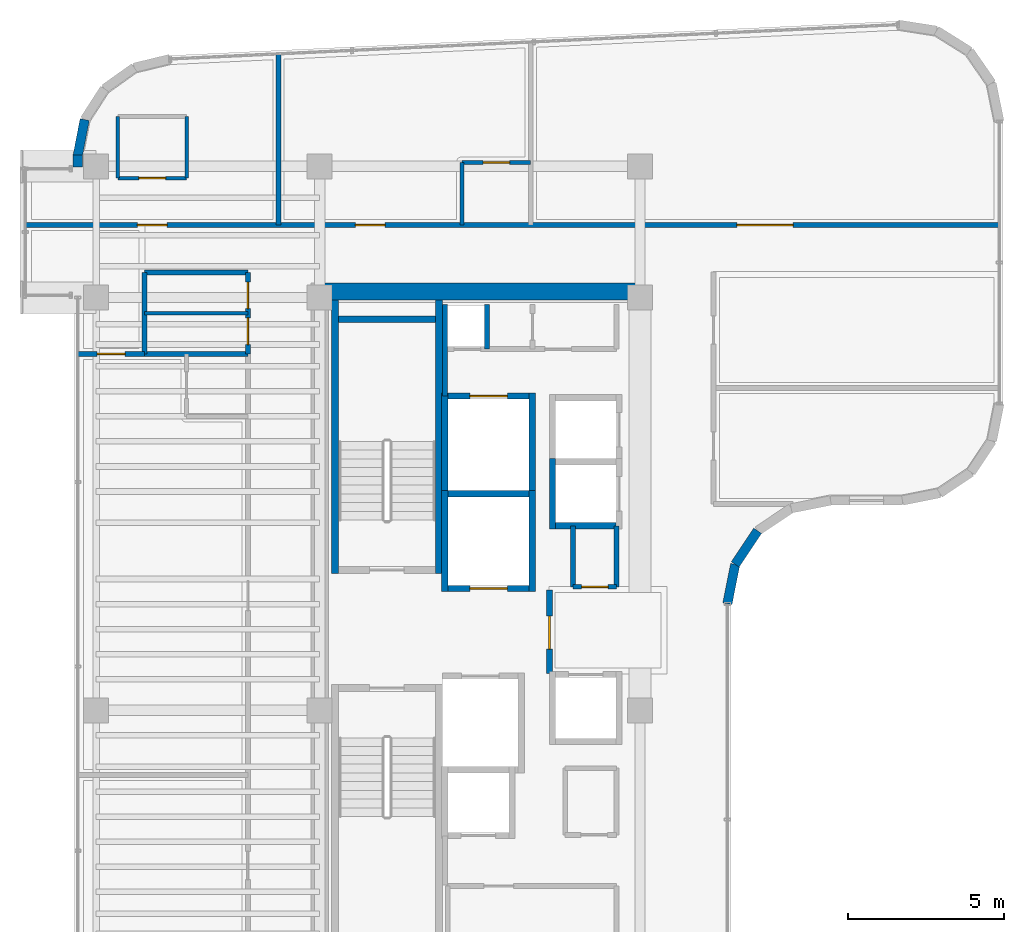
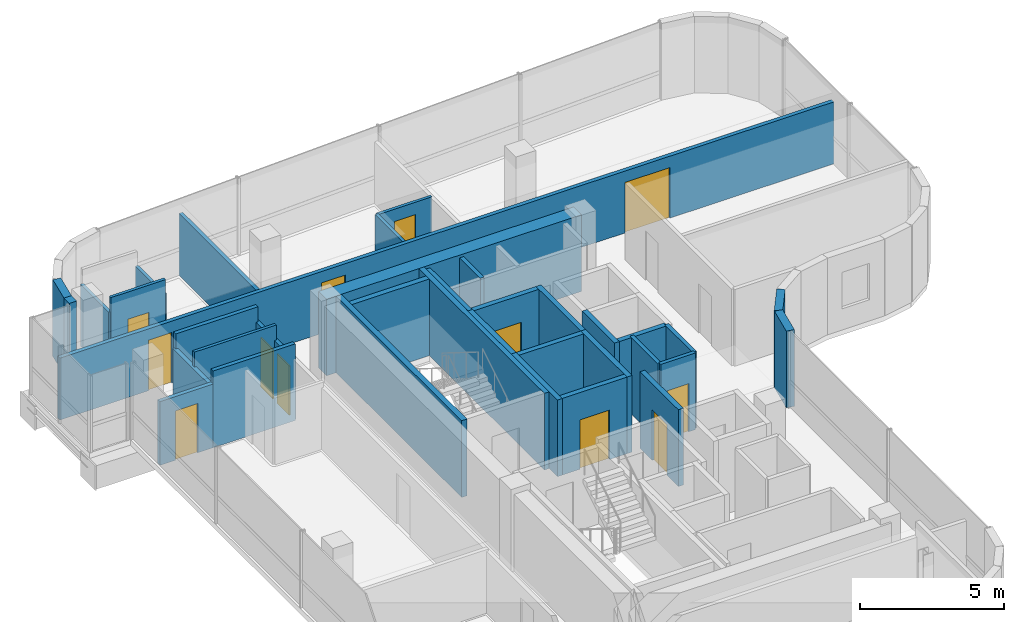
# One storey, part 17 of 20: 36 walls, 12 doors, 12 openings.
"""IFC4 building model written with IfcOpenShell, lengths in metres."""

from ifc_helpers import new_model, si_unit, direction, frame, frame_2d, origin, place, context, subcontext, project, spatial, rectangle, extrude, material, layer, layer_set, type_object, element, fill, save


model = new_model("IFC4")

# Units and contexts
model_context = context("Model", 3, precision=1e-05, world=origin(), true_north=direction((0.0, 1.0)))
body_context = subcontext(model_context, "Body", "Model", "MODEL_VIEW")
ifc_project = project(units=[si_unit("LENGTHUNIT", "METRE"), si_unit("AREAUNIT", "SQUARE_METRE"), si_unit("VOLUMEUNIT", "CUBIC_METRE"), si_unit("PLANEANGLEUNIT", "RADIAN"), si_unit("MASSUNIT", "GRAM", prefix="KILO")], contexts=[model_context])

# Site, building, storey
site_placement = place(None, origin())
site = spatial("IfcSite", under=ifc_project, at=site_placement, CompositionType="ELEMENT")
building_placement = place(site_placement, origin())
building = spatial("IfcBuilding", under=site, at=building_placement, Name="Valdorenza Pilgrim Sanctuary Tower", CompositionType="ELEMENT")
storey_placement = place(building_placement, frame((0.0, 0.0, 283.5)))
storey = spatial("IfcBuildingStorey", under=building, at=storey_placement, Name="L74", CompositionType="ELEMENT", Elevation=283.5)

# Walls
ifc_material_1 = material(Name="Acoustic twin-stud gypsum partition", Category="gypsum")
ifc_layer_1 = layer(ifc_material_1, 0.159912109375, Name="Acoustic twin-stud gypsum partition")
ifc_layer_set_1 = layer_set([ifc_layer_1], Name="Acoustic twin-stud gypsum partition")
wall_type_1 = type_object("IfcWallType", Name="WAL-COR-160", PredefinedType="PARTITIONING", material=ifc_layer_set_1)
wall_1_placement = place(storey_placement, frame((-18.64990234375, 7.449951171875, 0.0), z_axis=(0.0, 0.0, 1.0), x_axis=(0.0, 1.0, 0.0)))
element("IfcWall", 1, at=wall_1_placement, inside=storey, type_object=wall_type_1, Name="L74 Core A North Service West Wall", PredefinedType="PARTITIONING", context=body_context, shape_type="SweptSolid", body=[
    extrude(rectangle(XDim=2.929931640625, YDim=0.159912109375, at=frame_2d((1.46484375, 0.0))), origin(), (0.0, 0.0, 1.0), 3.260009765625),
])
wall_2_placement = place(storey_placement, frame((-17.300048828125, 8.949951171875, 0.0), z_axis=(0.0, 0.0, 1.0), x_axis=(0.0, 1.0, 0.0)))
element("IfcWall", 2, at=wall_2_placement, inside=storey, type_object=wall_type_1, Name="L74 Core Electrical Riser Wall", PredefinedType="PARTITIONING", context=body_context, shape_type="SweptSolid", body=[
    extrude(rectangle(XDim=1.429931640625, YDim=0.159912109375, at=frame_2d((0.71484375, 0.0))), origin(), (0.0, 0.0, 1.0), 3.260009765625),
])
wall_3_placement = place(storey_placement, frame((-13.14990234375, 1.35009765625, 0.0), z_axis=(0.0, 0.0, 1.0), x_axis=(0.0, 1.0, 0.0)))
element("IfcWall", 3, at=wall_3_placement, inside=storey, type_object=wall_type_1, Name="L74 Freed Shaft 6 East Wall", PredefinedType="PARTITIONING", context=body_context, shape_type="SweptSolid", body=[
    extrude(rectangle(XDim=1.949951171875, YDim=0.159912109375, at=frame_2d((0.97509765625, 0.0))), origin(), (0.0, 0.0, 1.0), 3.260009765625),
])
wall_4_placement = place(storey_placement, frame((-28.25, 8.800048828125, 0.0), z_axis=(0.0, 0.0, 1.0), x_axis=(0.0, 1.0, 0.0)))
element("IfcWall", 4, at=wall_4_placement, inside=storey, type_object=wall_type_1, Name="L74 Washroom West Wall", PredefinedType="PARTITIONING", context=body_context, shape_type="SweptSolid", body=[
    extrude(rectangle(XDim=2.599853515625, YDim=0.159912109375, at=frame_2d((1.2998046875, 0.0))), origin(), (0.0, 0.0, 1.0), 2.623046875),
])

# Wall, openings, doors
wall_5_placement = place(storey_placement, frame((-24.949951171875, 8.800048828125, 0.0), z_axis=(0.0, 0.0, 1.0), x_axis=(0.0, 1.0, 0.0)))
wall_5 = element("IfcWall", 5, at=wall_5_placement, inside=storey, type_object=wall_type_1, Name="L74 Washroom East Wall", PredefinedType="PARTITIONING", context=body_context, shape_type="SweptSolid", body=[
    extrude(rectangle(XDim=2.599853515625, YDim=0.159912109375, at=frame_2d((1.2998046875, 0.0))), origin(), (0.0, 0.0, 1.0), 2.623046875),
])
opening_1_placement = place(wall_5_placement, frame((0.300048828125, 0.0, 0.0)))
opening_1 = element("IfcOpeningElement", 6, at=opening_1_placement, cuts=wall_5, Name="Opening DR-WC1", PredefinedType="OPENING", context=body_context, shape_type="SweptSolid", body=[
    extrude(rectangle(XDim=0.85009765625, YDim=2.10009765625, at=frame_2d((0.425048828125, 1.050048828125))), frame((0.0, 0.0947265625, 0.0), z_axis=(0.0, -1.0, 0.0), x_axis=(1.0, 0.0, 0.0)), (0.0, 0.0, 1.0), 0.189697265625),
])
opening_2_placement = place(wall_5_placement, frame((1.449951171875, 0.0, 0.0)))
opening_2 = element("IfcOpeningElement", 7, at=opening_2_placement, cuts=wall_5, Name="Opening DR-WC1", PredefinedType="OPENING", context=body_context, shape_type="SweptSolid", body=[
    extrude(rectangle(XDim=0.85009765625, YDim=2.10009765625, at=frame_2d((0.425048828125, 1.050048828125))), frame((0.0, 0.0947265625, 0.0), z_axis=(0.0, -1.0, 0.0), x_axis=(1.0, 0.0, 0.0)), (0.0, 0.0, 1.0), 0.189697265625),
])
ifc_material_2 = material(Name="Moisture-resistant lacquered timber", Category="wood")
door_type_1 = type_object("IfcDoorType", Name="DR-BATH-850", OperationType="NOTDEFINED", PredefinedType="DOOR", material=ifc_material_2)
door_1_placement = place(opening_1_placement, origin())
door_1 = element("IfcDoor", 8, at=door_1_placement, inside=storey, type_object=door_type_1, Name="L74 Accessible Washroom Door", OperationType="SINGLE_SWING_LEFT", OverallHeight=2.10009765625, OverallWidth=0.85009765625, PredefinedType="DOOR", context=body_context, shape_type="SweptSolid", body=[
    extrude(rectangle(XDim=0.85009765625, YDim=2.10009765625, at=frame_2d((0.425048828125, 1.050048828125))), frame((0.0, 0.02490234375, 0.0), z_axis=(0.0, -1.0, 0.0), x_axis=(1.0, 0.0, 0.0)), (0.0, 0.0, 1.0), 0.050048828125),
])
fill(opening_1, door_1)
door_2_placement = place(opening_2_placement, origin())
door_2 = element("IfcDoor", 9, at=door_2_placement, inside=storey, type_object=door_type_1, Name="L74 Public Washroom Door", OperationType="SINGLE_SWING_RIGHT", OverallHeight=2.10009765625, OverallWidth=0.85009765625, PredefinedType="DOOR", context=body_context, shape_type="SweptSolid", body=[
    extrude(rectangle(XDim=0.85009765625, YDim=2.10009765625, at=frame_2d((0.425048828125, 1.050048828125))), frame((0.0, 0.02490234375, 0.0), z_axis=(0.0, -1.0, 0.0), x_axis=(1.0, 0.0, 0.0)), (0.0, 0.0, 1.0), 0.050048828125),
])
fill(opening_2, door_2)

# Walls
for number, where, z_axis, x_axis, name in (
    (10, (-28.25, 8.800048828125, 0.0), (0.0, 0.0, 1.0), (1.0, 0.0, 0.0), "L74 Washroom South Wall"),
    (11, (-28.25, 11.39990234375, 0.0), (0.0, 0.0, 1.0), (1.0, 0.0, 0.0), "L74 Washroom North Wall"),
):
    element("IfcWall", number, at=place(storey_placement, frame(where, z_axis=z_axis, x_axis=x_axis)), inside=storey, type_object=wall_type_1, Name=name, PredefinedType="PARTITIONING", context=body_context, shape_type="SweptSolid", body=[
        extrude(rectangle(XDim=3.300048828125, YDim=0.159912109375, at=frame_2d((1.64990234375, 0.0))), origin(), (0.0, 0.0, 1.0), 3.260009765625),
    ])

# Wall, opening, door
wall_6_placement = place(storey_placement, frame((-30.389892578125, 8.800048828125, 0.0), z_axis=(0.0, 0.0, 1.0), x_axis=(1.0, 0.0, 0.0)))
wall_6 = element("IfcWall", 12, at=wall_6_placement, inside=storey, type_object=wall_type_1, Name="L74 West North Alcove Wall", PredefinedType="PARTITIONING", context=body_context, shape_type="SweptSolid", body=[
    extrude(rectangle(XDim=2.139892578125, YDim=0.159912109375, at=frame_2d((1.06982421875, 0.0))), origin(), (0.0, 0.0, 1.0), 2.7060546875),
])
opening_3_placement = place(wall_6_placement, frame((0.6201171875, 0.0, 0.0)))
opening_3 = element("IfcOpeningElement", 13, at=opening_3_placement, cuts=wall_6, Name="Opening DR-RM1", PredefinedType="OPENING", context=body_context, shape_type="SweptSolid", body=[
    extrude(rectangle(XDim=0.89990234375, YDim=2.10009765625, at=frame_2d((0.449951171875, 1.050048828125))), frame((0.0, 0.0947265625, 0.0), z_axis=(0.0, -1.0, 0.0), x_axis=(1.0, 0.0, 0.0)), (0.0, 0.0, 1.0), 0.189697265625),
])
ifc_material_3 = material(Name="Solid-core European oak timber", Category="wood")
door_type_2 = type_object("IfcDoorType", Name="DR-ROOM-900", OperationType="NOTDEFINED", PredefinedType="DOOR", material=ifc_material_3)
door_3_placement = place(opening_3_placement, frame((0.89990234375, 0.0, 0.0), z_axis=(0.0, 0.0, 1.0), x_axis=(-1.0, 0.0, 0.0)))
door_3 = element("IfcDoor", 14, at=door_3_placement, inside=storey, type_object=door_type_2, Name="L74 Pilgrim Scholar Office L74-WN Door", OperationType="SINGLE_SWING_LEFT", OverallHeight=2.10009765625, OverallWidth=0.89990234375, PredefinedType="DOOR", context=body_context, shape_type="SweptSolid", body=[
    extrude(rectangle(XDim=0.89990234375, YDim=2.10009765625, at=frame_2d((0.449951171875, 1.050048828125))), frame((0.0, 0.02490234375, 0.0), z_axis=(0.0, -1.0, 0.0), x_axis=(1.0, 0.0, 0.0)), (0.0, 0.0, 1.0), 0.050048828125),
])
fill(opening_3, door_3)

# Wall, openings, doors
wall_7_placement = place(storey_placement, frame((-32.0400390625, 12.919921875, 0.0), z_axis=(0.0, 0.0, 1.0), x_axis=(1.0, 0.0, 0.0)))
wall_7 = element("IfcWall", 15, at=wall_7_placement, inside=storey, type_object=wall_type_1, Name="L74 North Corridor Wall", PredefinedType="PARTITIONING", context=body_context, shape_type="SweptSolid", body=[
    extrude(rectangle(XDim=31.130126953125, YDim=0.159912109375, at=frame_2d((15.56494140625, 0.0))), origin(), (0.0, 0.0, 1.0), 2.634033203125),
])
opening_4_placement = place(wall_7_placement, frame((3.56005859375, 0.0, 0.0)))
opening_4 = element("IfcOpeningElement", 16, at=opening_4_placement, cuts=wall_7, Name="Opening DR-UN1", PredefinedType="OPENING", context=body_context, shape_type="SweptSolid", body=[
    extrude(rectangle(XDim=0.949951171875, YDim=2.14990234375, at=frame_2d((0.47509765625, 1.074951171875))), frame((0.0, 0.0947265625, 0.0), z_axis=(0.0, -1.0, 0.0), x_axis=(1.0, 0.0, 0.0)), (0.0, 0.0, 1.0), 0.189697265625),
])
opening_5_placement = place(wall_7_placement, frame((10.530029296875, 0.0, 0.0)))
opening_5 = element("IfcOpeningElement", 17, at=opening_5_placement, cuts=wall_7, Name="Opening DR-UN1", PredefinedType="OPENING", context=body_context, shape_type="SweptSolid", body=[
    extrude(rectangle(XDim=0.949951171875, YDim=2.14990234375, at=frame_2d((0.47509765625, 1.074951171875))), frame((0.0, 0.0947265625, 0.0), z_axis=(0.0, -1.0, 0.0), x_axis=(1.0, 0.0, 0.0)), (0.0, 0.0, 1.0), 0.189697265625),
])
opening_6_placement = place(wall_7_placement, frame((22.735107421875, 0.0, 0.0)))
opening_6 = element("IfcOpeningElement", 18, at=opening_6_placement, cuts=wall_7, Name="Opening DR-HL1", PredefinedType="OPENING", context=body_context, shape_type="SweptSolid", body=[
    extrude(rectangle(XDim=1.800048828125, YDim=2.14990234375, at=frame_2d((0.89990234375, 1.074951171875))), frame((0.0, 0.0947265625, 0.0), z_axis=(0.0, -1.0, 0.0), x_axis=(1.0, 0.0, 0.0)), (0.0, 0.0, 1.0), 0.189697265625),
])
ifc_material_4 = material(Name="Acoustic oak and vision-glass double door", Category="glass")
door_type_3 = type_object("IfcDoorType", Name="DR-HALL-1800", OperationType="NOTDEFINED", PredefinedType="DOOR", material=ifc_material_4)
door_4_placement = place(opening_6_placement, frame((1.800048828125, 0.0, 0.0), z_axis=(0.0, 0.0, 1.0), x_axis=(-1.0, 0.0, 0.0)))
door_4 = element("IfcDoor", 19, at=door_4_placement, inside=storey, type_object=door_type_3, Name="L74 Sacred Archive Reading Library L74-N2 Door", OperationType="DOUBLE_DOOR_SINGLE_SWING", OverallHeight=2.14990234375, OverallWidth=1.800048828125, PredefinedType="DOOR", context=body_context, shape_type="SweptSolid", body=[
    extrude(rectangle(XDim=1.800048828125, YDim=2.14990234375, at=frame_2d((0.89990234375, 1.074951171875))), frame((0.0, 0.02490234375, 0.0), z_axis=(0.0, -1.0, 0.0), x_axis=(1.0, 0.0, 0.0)), (0.0, 0.0, 1.0), 0.050048828125),
])
fill(opening_6, door_4)
door_type_4 = type_object("IfcDoorType", Name="DR-UNIT-950", OperationType="NOTDEFINED", PredefinedType="DOOR", material=ifc_material_3)
door_5_placement = place(opening_4_placement, frame((0.949951171875, 0.0, 0.0), z_axis=(0.0, 0.0, 1.0), x_axis=(-1.0, 0.0, 0.0)))
door_5 = element("IfcDoor", 20, at=door_5_placement, inside=storey, type_object=door_type_4, Name="L74 North Grand Guest Room L74-N1A Entrance Door", OperationType="SINGLE_SWING_LEFT", OverallHeight=2.14990234375, OverallWidth=0.949951171875, PredefinedType="DOOR", context=body_context, shape_type="SweptSolid", body=[
    extrude(rectangle(XDim=0.949951171875, YDim=2.14990234375, at=frame_2d((0.47509765625, 1.074951171875))), frame((0.0, 0.02490234375, 0.0), z_axis=(0.0, -1.0, 0.0), x_axis=(1.0, 0.0, 0.0)), (0.0, 0.0, 1.0), 0.050048828125),
])
fill(opening_4, door_5)
door_6_placement = place(opening_5_placement, frame((0.949951171875, 0.0, 0.0), z_axis=(0.0, 0.0, 1.0), x_axis=(-1.0, 0.0, 0.0)))
door_6 = element("IfcDoor", 21, at=door_6_placement, inside=storey, type_object=door_type_4, Name="L74 North Grand Guest Room L74-N1B Entrance Door", OperationType="SINGLE_SWING_LEFT", OverallHeight=2.14990234375, OverallWidth=0.949951171875, PredefinedType="DOOR", context=body_context, shape_type="SweptSolid", body=[
    extrude(rectangle(XDim=0.949951171875, YDim=2.14990234375, at=frame_2d((0.47509765625, 1.074951171875))), frame((0.0, 0.02490234375, 0.0), z_axis=(0.0, -1.0, 0.0), x_axis=(1.0, 0.0, 0.0)), (0.0, 0.0, 1.0), 0.050048828125),
])
fill(opening_5, door_6)

# Walls
ifc_material_5 = material(Name="Concrete C50/60", Category="concrete")
ifc_layer_2 = layer(ifc_material_5, 0.550048828125, Name="Concrete C50/60")
ifc_layer_set_2 = layer_set([ifc_layer_2], Name="Concrete C50/60")
wall_type_2 = type_object("IfcWallType", Name="WAL-COR-550", PredefinedType="SHEAR", material=ifc_layer_set_2)
wall_8_placement = place(storey_placement, frame((-22.64990234375, 10.800048828125, 0.0), z_axis=(0.0, 0.0, 1.0), x_axis=(1.0, 0.0, 0.0)))
element("IfcWall", 22, at=wall_8_placement, inside=storey, type_object=wall_type_2, Name="L74 Split Core A Shear Wall N", PredefinedType="SHEAR", context=body_context, shape_type="SweptSolid", body=[
    extrude(rectangle(XDim=10.25, YDim=0.550048828125, at=frame_2d((5.125, 0.0))), origin(), (0.0, 0.0, 1.0), 3.260009765625),
])
ifc_material_6 = material(Name="Honed travertine limestone", Category="masonry")
ifc_layer_3 = layer(ifc_material_6, 0.300048828125, Name="Honed travertine limestone")
ifc_layer_set_3 = layer_set([ifc_layer_3], Name="Honed travertine limestone")
wall_type_3 = type_object("IfcWallType", Name="WAL-EXT-300", PredefinedType="SOLIDWALL", material=ifc_layer_set_3)
wall_9_placement = place(storey_placement, frame((-30.389892578125, 14.780029296875, 0.0), z_axis=(0.0, 0.0, 1.0), x_axis=(0.0, 1.0, 0.0)))
element("IfcWall", 23, at=wall_9_placement, inside=storey, type_object=wall_type_3, Name="L74 Facade Box Closure Stone Jamb 2", PredefinedType="SOLIDWALL", context=body_context, shape_type="SweptSolid", body=[
    extrude(rectangle(XDim=0.376708984375, YDim=0.300048828125, at=frame_2d((0.1884765625, 0.0))), origin(), (0.0, 0.0, 1.0), 3.260009765625),
])
wall_10_placement = place(storey_placement, frame((-30.389892578125, 15.13671875, 0.0), z_axis=(0.0, 0.0, 1.0), x_axis=(0.189307792679, 0.981917796779, 0.0)))
element("IfcWall", 24, at=wall_10_placement, inside=storey, type_object=wall_type_3, Name="L74 Rounded Wind-Corner Stone Pier 2", PredefinedType="SOLIDWALL", context=body_context, shape_type="SweptSolid", body=[
    extrude(rectangle(XDim=1.179931640625, YDim=0.300048828125, at=frame_2d((0.58984375, 0.0))), origin(), (0.0, 0.0, 1.0), 3.260009765625),
])
wall_11_placement = place(storey_placement, frame((-8.64208984375, 3.14208984375, 0.0), z_axis=(0.0, 0.0, 1.0), x_axis=(-0.555528135371, -0.831497739511, 0.0)))
element("IfcWall", 25, at=wall_11_placement, inside=storey, type_object=wall_type_3, Name="L74 Rounded Wind-Corner Stone Pier 19", PredefinedType="SOLIDWALL", context=body_context, shape_type="SweptSolid", body=[
    extrude(rectangle(XDim=1.29248046875, YDim=0.300048828125, at=frame_2d((0.646240234375, 0.0))), origin(), (0.0, 0.0, 1.0), 3.260009765625),
])
wall_12_placement = place(storey_placement, frame((-9.360107421875, 2.0673828125, 0.0), z_axis=(0.0, 0.0, 1.0), x_axis=(-0.195126623715, -0.980778058848, 0.0)))
element("IfcWall", 26, at=wall_12_placement, inside=storey, type_object=wall_type_3, Name="L74 Rounded Wind-Corner Stone Pier 20", PredefinedType="SOLIDWALL", context=body_context, shape_type="SweptSolid", body=[
    extrude(rectangle(XDim=1.28125, YDim=0.300048828125, at=frame_2d((0.640625, 0.0))), origin(), (0.0, 0.0, 1.0), 3.260009765625),
])

# Wall, opening, door
ifc_material_7 = material(Name="Gypsum shaftwall partition", Category="gypsum")
ifc_layer_4 = layer(ifc_material_7, 0.199951171875, Name="Gypsum shaftwall partition")
ifc_layer_set_4 = layer_set([ifc_layer_4], Name="Gypsum shaftwall partition")
wall_type_4 = type_object("IfcWallType", Name="WAL-FFL-200", PredefinedType="PARTITIONING", material=ifc_layer_set_4)
wall_13_placement = place(storey_placement, frame((-15.300048828125, -1.419921875, 0.0), z_axis=(0.0, 0.0, 1.0), x_axis=(0.0, 1.0, 0.0)))
wall_13 = element("IfcWall", 27, at=wall_13_placement, inside=storey, type_object=wall_type_4, Name="L74 Core A Firefighting Lobby East Wall", PredefinedType="PARTITIONING", context=body_context, shape_type="SweptSolid", body=[
    extrude(rectangle(XDim=2.669921875, YDim=0.199951171875, at=frame_2d((1.3349609375, 0.0))), origin(), (0.0, 0.0, 1.0), 3.260009765625),
])
opening_7_placement = place(wall_13_placement, frame((0.780029296875, 0.0, 0.0)))
opening_7 = element("IfcOpeningElement", 28, at=opening_7_placement, cuts=wall_13, Name="Opening DR-FL1", PredefinedType="OPENING", context=body_context, shape_type="SweptSolid", body=[
    extrude(rectangle(XDim=1.050048828125, YDim=2.14990234375, at=frame_2d((0.52490234375, 1.074951171875))), frame((0.0, 0.11474609375, 0.0), z_axis=(0.0, -1.0, 0.0), x_axis=(1.0, 0.0, 0.0)), (0.0, 0.0, 1.0), 0.229736328125),
])
ifc_material_8 = material(Name="Painted galvanized steel", Category="steel")
door_type_5 = type_object("IfcDoorType", Name="DR-FFL-1050", OperationType="NOTDEFINED", PredefinedType="DOOR", material=ifc_material_8)
door_7_placement = place(opening_7_placement, origin())
door_7 = element("IfcDoor", 29, at=door_7_placement, inside=storey, type_object=door_type_5, Name="L74 Core A Firefighting Lobby Door", OperationType="SINGLE_SWING_RIGHT", OverallHeight=2.14990234375, OverallWidth=1.050048828125, PredefinedType="DOOR", context=body_context, shape_type="SweptSolid", body=[
    extrude(rectangle(XDim=1.050048828125, YDim=2.14990234375, at=frame_2d((0.52490234375, 1.074951171875))), frame((0.0, 0.02490234375, 0.0), z_axis=(0.0, -1.0, 0.0), x_axis=(1.0, 0.0, 0.0)), (0.0, 0.0, 1.0), 0.050048828125),
])
fill(opening_7, door_7)

# Walls
ifc_material_9 = material(Name="Moisture-resistant gypsum partition", Category="gypsum")
ifc_layer_5 = layer(ifc_material_9, 0.1201171875, Name="Moisture-resistant gypsum partition")
ifc_layer_set_5 = layer_set([ifc_layer_5], Name="Moisture-resistant gypsum partition")
wall_type_5 = type_object("IfcWallType", Name="WAL-INT-120", PredefinedType="PARTITIONING", material=ifc_layer_set_5)
wall_14_placement = place(storey_placement, frame((-28.25, 10.10009765625, 0.0), z_axis=(0.0, 0.0, 1.0), x_axis=(1.0, 0.0, 0.0)))
element("IfcWall", 30, at=wall_14_placement, inside=storey, type_object=wall_type_5, Name="L74 Washroom Divider Wall", PredefinedType="PARTITIONING", context=body_context, shape_type="SweptSolid", body=[
    extrude(rectangle(XDim=3.300048828125, YDim=0.1201171875, at=frame_2d((1.64990234375, 0.0))), origin(), (0.0, 0.0, 1.0), 3.260009765625),
])
for number, where, z_axis, x_axis, name in (
    (31, (-29.10498046875, 14.419921875, 0.0), (0.0, 0.0, 1.0), (0.0, 1.0, 0.0), "L74 North Grand Guest Room L74-N1A En-suite West Wall"),
    (32, (-26.905029296875, 14.419921875, 0.0), (0.0, 0.0, 1.0), (0.0, 1.0, 0.0), "L74 North Grand Guest Room L74-N1A En-suite East Wall"),
):
    element("IfcWall", number, at=place(storey_placement, frame(where, z_axis=z_axis, x_axis=x_axis)), inside=storey, type_object=wall_type_5, Name=name, PredefinedType="PARTITIONING", context=body_context, shape_type="SweptSolid", body=[
        extrude(rectangle(XDim=1.97216796875, YDim=0.1201171875, at=frame_2d((0.986083984375, 0.0))), origin(), (0.0, 0.0, 1.0), 2.623046875),
    ])

# Wall, opening, door
wall_15_placement = place(storey_placement, frame((-29.10498046875, 14.419921875, 0.0), z_axis=(0.0, 0.0, 1.0), x_axis=(1.0, 0.0, 0.0)))
wall_15 = element("IfcWall", 33, at=wall_15_placement, inside=storey, type_object=wall_type_5, Name="L74 North Grand Guest Room L74-N1A En-suite Door Wall", PredefinedType="PARTITIONING", context=body_context, shape_type="SweptSolid", body=[
    extrude(rectangle(XDim=2.199951171875, YDim=0.1201171875, at=frame_2d((1.10009765625, 0.0))), origin(), (0.0, 0.0, 1.0), 3.260009765625),
])
opening_8_placement = place(wall_15_placement, frame((0.675048828125, 0.0, 0.0)))
opening_8 = element("IfcOpeningElement", 34, at=opening_8_placement, cuts=wall_15, Name="Opening DR-WC1", PredefinedType="OPENING", context=body_context, shape_type="SweptSolid", body=[
    extrude(rectangle(XDim=0.85009765625, YDim=2.10009765625, at=frame_2d((0.425048828125, 1.050048828125))), frame((0.0, 0.074951171875, 0.0), z_axis=(0.0, -1.0, 0.0), x_axis=(1.0, 0.0, 0.0)), (0.0, 0.0, 1.0), 0.14990234375),
])
door_8_placement = place(opening_8_placement, origin())
door_8 = element("IfcDoor", 35, at=door_8_placement, inside=storey, type_object=door_type_1, Name="L74 North Grand Guest Room L74-N1A En-suite Bathroom Door", OperationType="SINGLE_SWING_RIGHT", OverallHeight=2.10009765625, OverallWidth=0.85009765625, PredefinedType="DOOR", context=body_context, shape_type="SweptSolid", body=[
    extrude(rectangle(XDim=0.85009765625, YDim=2.10009765625, at=frame_2d((0.425048828125, 1.050048828125))), frame((0.0, 0.02490234375, 0.0), z_axis=(0.0, -1.0, 0.0), x_axis=(1.0, 0.0, 0.0)), (0.0, 0.0, 1.0), 0.050048828125),
])
fill(opening_8, door_8)

# Wall
wall_16_placement = place(storey_placement, frame((-18.10009765625, 12.919921875, 0.0), z_axis=(0.0, 0.0, 1.0), x_axis=(0.0, 1.0, 0.0)))
element("IfcWall", 36, at=wall_16_placement, inside=storey, type_object=wall_type_5, Name="L74 North Grand Guest Room L74-N1B En-suite West Wall", PredefinedType="PARTITIONING", context=body_context, shape_type="SweptSolid", body=[
    extrude(rectangle(XDim=2.0, YDim=0.1201171875, at=frame_2d((1.0, 0.0))), origin(), (0.0, 0.0, 1.0), 2.623046875),
])

# Wall, opening, door
wall_17_placement = place(storey_placement, frame((-18.10009765625, 14.919921875, 0.0), z_axis=(0.0, 0.0, 1.0), x_axis=(1.0, 0.0, 0.0)))
wall_17 = element("IfcWall", 37, at=wall_17_placement, inside=storey, type_object=wall_type_5, Name="L74 North Grand Guest Room L74-N1B En-suite Door Wall", PredefinedType="PARTITIONING", context=body_context, shape_type="SweptSolid", body=[
    extrude(rectangle(XDim=2.2001953125, YDim=0.1201171875, at=frame_2d((1.10009765625, 0.0))), origin(), (0.0, 0.0, 1.0), 2.623046875),
])
opening_9_placement = place(wall_17_placement, frame((0.675048828125, 0.0, 0.0)))
opening_9 = element("IfcOpeningElement", 38, at=opening_9_placement, cuts=wall_17, Name="Opening DR-WC1", PredefinedType="OPENING", context=body_context, shape_type="SweptSolid", body=[
    extrude(rectangle(XDim=0.85009765625, YDim=2.10009765625, at=frame_2d((0.425048828125, 1.050048828125))), frame((0.0, 0.074951171875, 0.0), z_axis=(0.0, -1.0, 0.0), x_axis=(1.0, 0.0, 0.0)), (0.0, 0.0, 1.0), 0.14990234375),
])
door_9_placement = place(opening_9_placement, origin())
door_9 = element("IfcDoor", 39, at=door_9_placement, inside=storey, type_object=door_type_1, Name="L74 North Grand Guest Room L74-N1B En-suite Bathroom Door", OperationType="SINGLE_SWING_RIGHT", OverallHeight=2.10009765625, OverallWidth=0.85009765625, PredefinedType="DOOR", context=body_context, shape_type="SweptSolid", body=[
    extrude(rectangle(XDim=0.85009765625, YDim=2.10009765625, at=frame_2d((0.425048828125, 1.050048828125))), frame((0.0, 0.02490234375, 0.0), z_axis=(0.0, -1.0, 0.0), x_axis=(1.0, 0.0, 0.0)), (0.0, 0.0, 1.0), 0.050048828125),
])
fill(opening_9, door_9)

# Walls
ifc_material_10 = material(Name="Autoclaved aerated concrete blockwork", Category="masonry")
ifc_layer_6 = layer(ifc_material_10, 0.199951171875, Name="Autoclaved aerated concrete blockwork")
ifc_layer_set_6 = layer_set([ifc_layer_6], Name="Autoclaved aerated concrete blockwork")
wall_type_6 = type_object("IfcWallType", Name="WAL-SHF-200", PredefinedType="MOVABLE", material=ifc_layer_set_6)
for number, where, z_axis, x_axis, name in (
    (40, (-18.64990234375, 1.199951171875, 0.0), (0.0, 0.0, 1.0), (0.0, 1.0, 0.0), "L74 Lift FFL-01 Hoistway Wall West"),
    (41, (-15.85009765625, 1.199951171875, 0.0), (0.0, 0.0, 1.0), (0.0, 1.0, 0.0), "L74 Lift FFL-01 Hoistway Wall East"),
):
    element("IfcWall", number, at=place(storey_placement, frame(where, z_axis=z_axis, x_axis=x_axis)), inside=storey, type_object=wall_type_6, Name=name, PredefinedType="MOVABLE", context=body_context, shape_type="SweptSolid", body=[
        extrude(rectangle(XDim=3.22509765625, YDim=0.199951171875, at=frame_2d((1.612548828125, 0.0))), origin(), (0.0, 0.0, 1.0), 3.260009765625),
    ])

# Wall, opening, door
wall_18_placement = place(storey_placement, frame((-18.550048828125, 1.300048828125, 0.0), z_axis=(0.0, 0.0, 1.0), x_axis=(1.0, 0.0, 0.0)))
wall_18 = element("IfcWall", 42, at=wall_18_placement, inside=storey, type_object=wall_type_6, Name="L74 Lift FFL-01 Hoistway Wall South", PredefinedType="MOVABLE", context=body_context, shape_type="SweptSolid", body=[
    extrude(rectangle(XDim=2.60009765625, YDim=0.199951171875, at=frame_2d((1.300048828125, 0.0))), origin(), (0.0, 0.0, 1.0), 3.260009765625),
])
opening_10_placement = place(wall_18_placement, frame((0.699951171875, 0.0, 0.0)))
opening_10 = element("IfcOpeningElement", 43, at=opening_10_placement, cuts=wall_18, Name="Opening LD-02", PredefinedType="OPENING", context=body_context, shape_type="SweptSolid", body=[
    extrude(rectangle(XDim=1.199951171875, YDim=2.10009765625, at=frame_2d((0.60009765625, 1.050048828125))), frame((0.0, 0.11474609375, 0.0), z_axis=(0.0, -1.0, 0.0), x_axis=(1.0, 0.0, 0.0)), (0.0, 0.0, 1.0), 0.229736328125),
])
ifc_material_11 = material(Name="Brushed stainless steel Grade 316", Category="steel")
door_type_6 = type_object("IfcDoorType", Name="DR-LFT-1200", OperationType="DOUBLE_DOOR_SLIDING", PredefinedType="DOOR", material=ifc_material_11)
door_10_placement = place(opening_10_placement, origin())
door_10 = element("IfcDoor", 44, at=door_10_placement, inside=storey, type_object=door_type_6, Name="L74 Lift FFL-01 Sliding Landing Door", OperationType="DOUBLE_DOOR_SLIDING", OverallHeight=2.10009765625, OverallWidth=1.199951171875, PredefinedType="DOOR", context=body_context, shape_type="SweptSolid", body=[
    extrude(rectangle(XDim=1.199951171875, YDim=2.10009765625, at=frame_2d((0.60009765625, 1.050048828125))), frame((0.0, 0.02490234375, 0.0), z_axis=(0.0, -1.0, 0.0), x_axis=(1.0, 0.0, 0.0)), (0.0, 0.0, 1.0), 0.050048828125),
])
fill(opening_10, door_10)

# Walls
wall_19_placement = place(storey_placement, frame((-18.550048828125, 4.324951171875, 0.0), z_axis=(0.0, 0.0, 1.0), x_axis=(1.0, 0.0, 0.0)))
element("IfcWall", 45, at=wall_19_placement, inside=storey, type_object=wall_type_6, Name="L74 Lift FFL-01 Hoistway Wall North", PredefinedType="MOVABLE", context=body_context, shape_type="SweptSolid", body=[
    extrude(rectangle(XDim=2.60009765625, YDim=0.199951171875, at=frame_2d((1.300048828125, 0.0))), origin(), (0.0, 0.0, 1.0), 3.260009765625),
])
for number, where, z_axis, x_axis, name in (
    (46, (-18.64990234375, 4.22509765625, 0.0), (0.0, 0.0, 1.0), (0.0, 1.0, 0.0), "L74 Lift SVL-01 Hoistway Wall West"),
    (47, (-15.85009765625, 4.22509765625, 0.0), (0.0, 0.0, 1.0), (0.0, 1.0, 0.0), "L74 Lift SVL-01 Hoistway Wall East"),
):
    element("IfcWall", number, at=place(storey_placement, frame(where, z_axis=z_axis, x_axis=x_axis)), inside=storey, type_object=wall_type_6, Name=name, PredefinedType="MOVABLE", context=body_context, shape_type="SweptSolid", body=[
        extrude(rectangle(XDim=3.324951171875, YDim=0.199951171875, at=frame_2d((1.66259765625, 0.0))), origin(), (0.0, 0.0, 1.0), 3.260009765625),
    ])

# Wall, opening, door
wall_20_placement = place(storey_placement, frame((-18.550048828125, 7.449951171875, 0.0), z_axis=(0.0, 0.0, 1.0), x_axis=(1.0, 0.0, 0.0)))
wall_20 = element("IfcWall", 48, at=wall_20_placement, inside=storey, type_object=wall_type_6, Name="L74 Lift SVL-01 Hoistway Wall North", PredefinedType="MOVABLE", context=body_context, shape_type="SweptSolid", body=[
    extrude(rectangle(XDim=2.60009765625, YDim=0.199951171875, at=frame_2d((1.300048828125, 0.0))), origin(), (0.0, 0.0, 1.0), 3.260009765625),
])
opening_11_placement = place(wall_20_placement, frame((0.699951171875, 0.0, 0.0)))
opening_11 = element("IfcOpeningElement", 49, at=opening_11_placement, cuts=wall_20, Name="Opening LD-02", PredefinedType="OPENING", context=body_context, shape_type="SweptSolid", body=[
    extrude(rectangle(XDim=1.199951171875, YDim=2.10009765625, at=frame_2d((0.60009765625, 1.050048828125))), frame((0.0, 0.11474609375, 0.0), z_axis=(0.0, -1.0, 0.0), x_axis=(1.0, 0.0, 0.0)), (0.0, 0.0, 1.0), 0.229736328125),
])
door_11_placement = place(opening_11_placement, origin())
door_11 = element("IfcDoor", 50, at=door_11_placement, inside=storey, type_object=door_type_6, Name="L74 Lift SVL-01 Sliding Landing Door", OperationType="DOUBLE_DOOR_SLIDING", OverallHeight=2.10009765625, OverallWidth=1.199951171875, PredefinedType="DOOR", context=body_context, shape_type="SweptSolid", body=[
    extrude(rectangle(XDim=1.199951171875, YDim=2.10009765625, at=frame_2d((0.60009765625, 1.050048828125))), frame((0.0, 0.02490234375, 0.0), z_axis=(0.0, -1.0, 0.0), x_axis=(1.0, 0.0, 0.0)), (0.0, 0.0, 1.0), 0.050048828125),
])
fill(opening_11, door_11)

# Walls
wall_21_placement = place(storey_placement, frame((-15.199951171875, 3.199951171875, 0.0), z_axis=(0.0, 0.0, 1.0), x_axis=(0.0, 1.0, 0.0)))
element("IfcWall", 51, at=wall_21_placement, inside=storey, type_object=wall_type_6, Name="L74 Lift PL-09 Hoistway Wall West", PredefinedType="MOVABLE", context=body_context, shape_type="SweptSolid", body=[
    extrude(rectangle(XDim=2.25, YDim=0.199951171875, at=frame_2d((1.125, 0.0))), origin(), (0.0, 0.0, 1.0), 3.260009765625),
])
wall_22_placement = place(storey_placement, frame((-15.10009765625, 3.300048828125, 0.0), z_axis=(0.0, 0.0, 1.0), x_axis=(1.0, 0.0, 0.0)))
element("IfcWall", 52, at=wall_22_placement, inside=storey, type_object=wall_type_6, Name="L74 Lift PL-09 Hoistway Wall South", PredefinedType="MOVABLE", context=body_context, shape_type="SweptSolid", body=[
    extrude(rectangle(XDim=1.920166015625, YDim=0.199951171875, at=frame_2d((0.9599609375, 0.0))), origin(), (0.0, 0.0, 1.0), 3.260009765625),
])
ifc_material_12 = material(Name="Concrete C40/50", Category="concrete")
ifc_layer_7 = layer(ifc_material_12, 0.219970703125, Name="Concrete C40/50")
ifc_layer_set_7 = layer_set([ifc_layer_7], Name="Concrete C40/50")
wall_type_7 = type_object("IfcWallType", Name="WAL-STR-SHF-220", PredefinedType="SHEAR", material=ifc_layer_set_7)
for number, where, z_axis, x_axis, name in (
    (53, (-22.159912109375, 1.780029296875, 0.0), (0.0, 0.0, 1.0), (0.0, 1.0, 0.0), "L74 ST-A1 Structural Stairwell Wall W"),
    (54, (-18.830078125, 1.780029296875, 0.0), (0.0, 0.0, 1.0), (0.0, 1.0, 0.0), "L74 ST-A1 Structural Stairwell Wall E"),
):
    element("IfcWall", number, at=place(storey_placement, frame(where, z_axis=z_axis, x_axis=x_axis)), inside=storey, type_object=wall_type_7, Name=name, PredefinedType="SHEAR", context=body_context, shape_type="SweptSolid", body=[
        extrude(rectangle(XDim=8.744873046875, YDim=0.219970703125, at=frame_2d((4.37255859375, 0.0))), origin(), (0.0, 0.0, 1.0), 3.260009765625),
    ])
wall_23_placement = place(storey_placement, frame((-22.050048828125, 9.909912109375, 0.0), z_axis=(0.0, 0.0, 1.0), x_axis=(1.0, 0.0, 0.0)))
element("IfcWall", 55, at=wall_23_placement, inside=storey, type_object=wall_type_7, Name="L74 ST-A1 Structural Stairwell Wall N", PredefinedType="SHEAR", context=body_context, shape_type="SweptSolid", body=[
    extrude(rectangle(XDim=3.110107421875, YDim=0.219970703125, at=frame_2d((1.55517578125, 0.0))), origin(), (0.0, 0.0, 1.0), 3.260009765625),
])
ifc_layer_8 = layer(ifc_material_1, 0.14990234375, Name="Acoustic twin-stud gypsum partition")
ifc_layer_set_8 = layer_set([ifc_layer_8], Name="Acoustic twin-stud gypsum partition")
wall_type_8 = type_object("IfcWallType", Name="WAL-UNT-150", PredefinedType="PARTITIONING", material=ifc_layer_set_8)
wall_24_placement = place(storey_placement, frame((-14.550048828125, 1.35009765625, 0.0), z_axis=(0.0, 0.0, 1.0), x_axis=(0.0, 1.0, 0.0)))
element("IfcWall", 56, at=wall_24_placement, inside=storey, type_object=wall_type_8, Name="L74 Freed Shaft 6 West Wall", PredefinedType="PARTITIONING", context=body_context, shape_type="SweptSolid", body=[
    extrude(rectangle(XDim=1.949951171875, YDim=0.14990234375, at=frame_2d((0.97509765625, 0.0))), origin(), (0.0, 0.0, 1.0), 3.260009765625),
])

# Wall, opening, door
wall_25_placement = place(storey_placement, frame((-14.550048828125, 1.35009765625, 0.0), z_axis=(0.0, 0.0, 1.0), x_axis=(1.0, 0.0, 0.0)))
wall_25 = element("IfcWall", 57, at=wall_25_placement, inside=storey, type_object=wall_type_8, Name="L74 Freed Shaft 6 South Wall", PredefinedType="PARTITIONING", context=body_context, shape_type="SweptSolid", body=[
    extrude(rectangle(XDim=1.400146484375, YDim=0.14990234375, at=frame_2d((0.7001953125, 0.0))), origin(), (0.0, 0.0, 1.0), 3.260009765625),
])
opening_12_placement = place(wall_25_placement, frame((0.27490234375, 0.0, 0.0)))
opening_12 = element("IfcOpeningElement", 58, at=opening_12_placement, cuts=wall_25, Name="Opening DR-RS1", PredefinedType="OPENING", context=body_context, shape_type="SweptSolid", body=[
    extrude(rectangle(XDim=0.85009765625, YDim=2.050048828125, at=frame_2d((0.425048828125, 1.02490234375))), frame((0.0, 0.08984375, 0.0), z_axis=(0.0, -1.0, 0.0), x_axis=(1.0, 0.0, 0.0)), (0.0, 0.0, 1.0), 0.1796875),
])
door_type_7 = type_object("IfcDoorType", Name="DR-RSR-850", OperationType="NOTDEFINED", PredefinedType="DOOR", material=ifc_material_8)
door_12_placement = place(opening_12_placement, origin())
door_12 = element("IfcDoor", 59, at=door_12_placement, inside=storey, type_object=door_type_7, Name="L74 High-Rise Butler Pantry Door", OperationType="SINGLE_SWING_RIGHT", OverallHeight=2.050048828125, OverallWidth=0.85009765625, PredefinedType="DOOR", context=body_context, shape_type="SweptSolid", body=[
    extrude(rectangle(XDim=0.85009765625, YDim=2.050048828125, at=frame_2d((0.425048828125, 1.02490234375))), frame((0.0, 0.02490234375, 0.0), z_axis=(0.0, -1.0, 0.0), x_axis=(1.0, 0.0, 0.0)), (0.0, 0.0, 1.0), 0.050048828125),
])
fill(opening_12, door_12)

# Wall
wall_26_placement = place(storey_placement, frame((-23.969970703125, 12.919921875, 0.0), z_axis=(0.0, 0.0, 1.0), x_axis=(0.0, 1.0, 0.0)))
element("IfcWall", 60, at=wall_26_placement, inside=storey, type_object=wall_type_8, Name="L74 North Grand Guest Room L74-N1 Split Wall", PredefinedType="PARTITIONING", context=body_context, shape_type="SweptSolid", body=[
    extrude(rectangle(XDim=5.477783203125, YDim=0.14990234375, at=frame_2d((2.73876953125, 0.0))), origin(), (0.0, 0.0, 1.0), 2.623046875),
])

save(model, "model.ifc")
